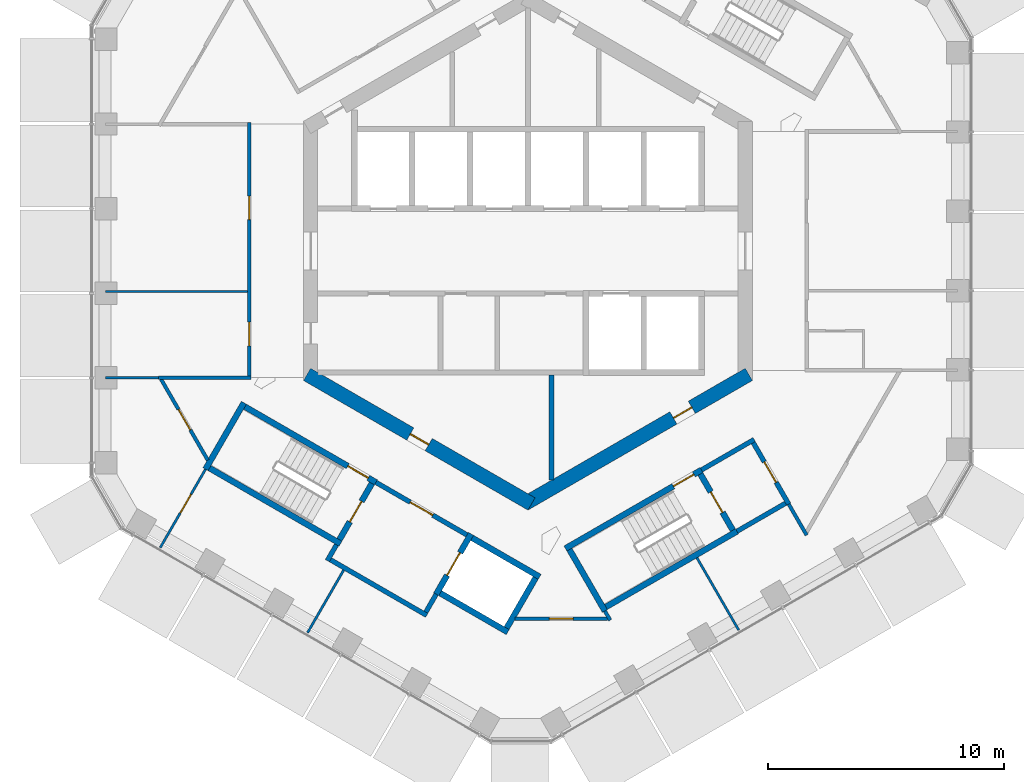
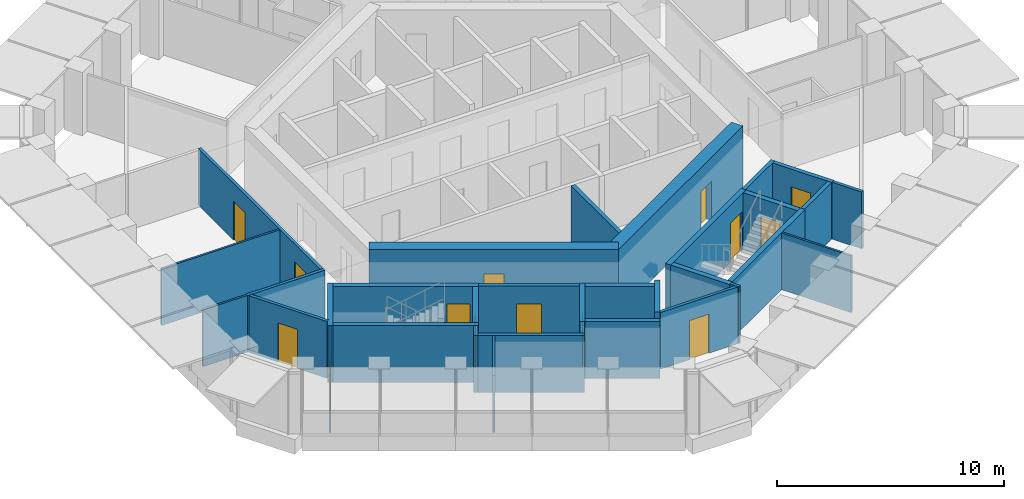
# One storey, part 13 of 18: 33 walls, 14 doors, 14 openings.
"""IFC4 building model written with IfcOpenShell, lengths in metres."""

import ifcopenshell
import ifcopenshell.guid

model = None  # the IFC model being written
_history = None  # IfcOwnerHistory: only IFC2X3 demands one
_inside = {}  # id of a spatial element -> (the spatial element, [elements in it])
_under = {}  # id of a project, library or spatial element -> (it, [spatial elements below it])
_declared = {}  # id of a project -> (the project, [libraries it declares])
_typed = {}  # id of a type object -> (the type object, [elements of that type])
_made_of = {}  # id of a material, layer set ... -> (it, [elements and type objects made of it])


def new_model(schema):
    """Start an empty IFC model of exactly this schema.

    Asked for "IFC4X3", IfcOpenShell would pick the latest addendum, in which some entities
    have other attributes; the version numbers below select the first issue.
    IFC2X3 requires an IfcOwnerHistory on every rooted entity: one is made here for all.
    """
    global model, _history
    if schema == "IFC4X3":
        model = ifcopenshell.file(schema_version=(4, 3, 0, 0))
    else:
        model = ifcopenshell.file(schema=schema)
    _inside.clear()
    _under.clear()
    _declared.clear()
    _typed.clear()
    _made_of.clear()
    _history = None
    if model.schema == "IFC2X3":
        org = make("IfcOrganization", Name="unknown")
        user = make(
            "IfcPersonAndOrganization",
            ThePerson=make("IfcPerson", FamilyName="unknown"),
            TheOrganization=org,
        )
        app = make(
            "IfcApplication",
            ApplicationDeveloper=org,
            Version="unknown",
            ApplicationFullName="unknown",
            ApplicationIdentifier="unknown",
        )
        _history = make(
            "IfcOwnerHistory",
            OwningUser=user,
            OwningApplication=app,
            ChangeAction="ADDED",
            CreationDate=0,
        )
    return model


def make(cls, **values):
    """One entity of the class cls with the attributes given. An attribute that is None is left unset."""
    return model.create_entity(
        cls, **{name: value for name, value in values.items() if value is not None}
    )


def rooted(cls, **values):
    """An entity with a GlobalId (a new one), such as an element, a storey or a relation."""
    return make(cls, GlobalId=ifcopenshell.guid.new(), OwnerHistory=_history, **values)


def si_unit(unit_type, name, prefix=None):
    """IfcSIUnit, for example si_unit("LENGTHUNIT", "METRE", prefix="MILLI")."""
    return make("IfcSIUnit", UnitType=unit_type, Prefix=prefix, Name=name)


def assignment(units):
    """IfcUnitAssignment: the units of a project."""
    return None if units is None else make("IfcUnitAssignment", Units=units)


def point(xyz):
    """IfcCartesianPoint."""
    return None if xyz is None else make("IfcCartesianPoint", Coordinates=xyz)


def direction(xyz):
    """IfcDirection."""
    return None if xyz is None else make("IfcDirection", DirectionRatios=xyz)


def frame(location, z_axis=None, x_axis=None):
    """IfcAxis2Placement3D, a coordinate frame: its origin and axes. An axis left out is left unset."""
    return make(
        "IfcAxis2Placement3D",
        Location=point(location),
        Axis=direction(z_axis),
        RefDirection=direction(x_axis),
    )


def frame_2d(location, x_axis=None):
    """IfcAxis2Placement2D, a coordinate frame in the plane: its origin and x axis."""
    return make(
        "IfcAxis2Placement2D", Location=point(location), RefDirection=direction(x_axis)
    )


def origin():
    """The frame at (0, 0, 0) with its axes left unset."""
    return frame((0.0, 0.0, 0.0))


def place(relative_to, where):
    """IfcLocalPlacement: puts the frame where relative to a parent placement (None: the world)."""
    return make(
        "IfcLocalPlacement", PlacementRelTo=relative_to, RelativePlacement=where
    )


def context(
    kind, dimensions, precision=None, world=None, true_north=None, identifier=None
):
    """IfcGeometricRepresentationContext, for example the 3D "Model" context."""
    return make(
        "IfcGeometricRepresentationContext",
        ContextIdentifier=identifier,
        ContextType=kind,
        CoordinateSpaceDimension=dimensions,
        Precision=precision,
        WorldCoordinateSystem=world,
        TrueNorth=true_north,
    )


def subcontext(parent, identifier, kind, view, scale=None):
    """IfcGeometricRepresentationSubContext, for example "Body" below "Model"."""
    return make(
        "IfcGeometricRepresentationSubContext",
        ContextIdentifier=identifier,
        ContextType=kind,
        ParentContext=parent,
        TargetScale=scale,
        TargetView=view,
    )


def project(units=None, contexts=None):
    """IfcProject with its units and contexts."""
    return rooted(
        "IfcProject",
        Name="project",
        RepresentationContexts=contexts,
        UnitsInContext=assignment(units),
    )


def spatial(cls, under=None, at=None, **own):
    """A site, building, storey or space (cls), placed at a placement, below another one or the project."""
    s = rooted(cls, ObjectPlacement=at, **own)
    if under is not None:
        _under.setdefault(under.id(), (under, []))[1].append(s)
    return s


def profile(cls, at=None, kind="AREA", **sizes):
    """A parametric profile (cls). Its sizes go by their IFC names, for example OverallWidth=200.0."""
    return make(cls, ProfileType=kind, Position=at, **sizes)


def rectangle(**sizes):
    """IfcRectangleProfileDef."""
    return profile("IfcRectangleProfileDef", **sizes)


def extrude(swept, where, along, depth):
    """IfcExtrudedAreaSolid: the profile swept, set in the frame where, extruded along a direction by depth."""
    return make(
        "IfcExtrudedAreaSolid",
        SweptArea=swept,
        Position=where,
        ExtrudedDirection=direction(along),
        Depth=depth,
    )


def shape(context_of_items, identifier, shape_type, items):
    """IfcShapeRepresentation: the items that make up one representation, for example the "Body"."""
    return make(
        "IfcShapeRepresentation",
        ContextOfItems=context_of_items,
        RepresentationIdentifier=identifier,
        RepresentationType=shape_type,
        Items=items,
    )


def material(Name=None, Category=None):
    """IfcMaterial."""
    return make("IfcMaterial", Name=Name, Category=Category)


def layer(
    of_material, thickness, ventilated=None, Name=None, Category=None, Priority=None
):
    """IfcMaterialLayer: one layer of a wall or slab, of a material (None: an air gap)."""
    return make(
        "IfcMaterialLayer",
        Material=of_material,
        LayerThickness=thickness,
        IsVentilated=ventilated,
        Name=Name,
        Category=Category,
        Priority=Priority,
    )


def layer_set(layers, Name=None):
    """IfcMaterialLayerSet."""
    return make("IfcMaterialLayerSet", MaterialLayers=layers, LayerSetName=Name)


def made_of(thing, what):
    """Note that an element or type object is made of a material, layer set ...; save() writes the relation."""
    if what is not None:
        _made_of.setdefault(what.id(), (what, []))[1].append(thing)
    return thing


def type_object(cls, material=None, **own):
    """A type object (cls), such as IfcWallType, which elements share."""
    return made_of(rooted(cls, **own), material)


def element(
    cls,
    number,
    at=None,
    inside=None,
    cuts=None,
    type_object=None,
    material=None,
    context=None,
    identifier="Body",
    shape_type=None,
    held_by="IfcProductDefinitionShape",
    body=None,
    shapes=None,
    **own,
):
    """One element of the class cls, such as IfcWall. Its Tag is "e" and its number.

    at: its placement. inside: the storey or other place that contains it. cuts: it is an
    opening in that element (IfcRelVoidsElement). A single representation is given by context,
    identifier, shape_type and body (its items); several are given by shapes. held_by: the class
    of the entity that holds the representations. save() writes the other relations.
    """
    e = rooted(cls, Tag="e%d" % number, ObjectPlacement=at, **own)
    if body is not None:
        shapes = [shape(context, identifier, shape_type, body)]
    if shapes is not None:
        e.Representation = make(held_by, Representations=shapes)
    if inside is not None:
        _inside.setdefault(inside.id(), (inside, []))[1].append(e)
    if cuts is not None:
        rooted(
            "IfcRelVoidsElement", RelatingBuildingElement=cuts, RelatedOpeningElement=e
        )
    if type_object is not None:
        _typed.setdefault(type_object.id(), (type_object, []))[1].append(e)
    return made_of(e, material)


def fill(opening, filler):
    """IfcRelFillsElement: the door or window that sits in an opening."""
    return rooted(
        "IfcRelFillsElement",
        RelatingOpeningElement=opening,
        RelatedBuildingElement=filler,
    )


def aggregate(whole, parts):
    """IfcRelAggregates: a whole, such as a stair, and the parts it consists of."""
    return rooted("IfcRelAggregates", RelatingObject=whole, RelatedObjects=parts)


def save(model, path):
    """Write the relations noted so far, then the file.

    IfcRelAggregates (storeys below a building ...), IfcRelContainedInSpatialStructure (elements
    in a storey), IfcRelDefinesByType, IfcRelAssociatesMaterial and IfcRelDeclares: one each for
    every whole, place, type object, material and project.
    """
    for whole, parts in _under.values():
        aggregate(whole, parts)
    for where, things in _inside.values():
        rooted(
            "IfcRelContainedInSpatialStructure",
            RelatedElements=things,
            RelatingStructure=where,
        )
    for kind, things in _typed.values():
        rooted("IfcRelDefinesByType", RelatedObjects=things, RelatingType=kind)
    for what, things in _made_of.values():
        rooted("IfcRelAssociatesMaterial", RelatedObjects=things, RelatingMaterial=what)
    for by, libraries in _declared.values():
        rooted("IfcRelDeclares", RelatingContext=by, RelatedDefinitions=libraries)
    model.write(path)


model = new_model("IFC4")

# Units and contexts
model_context = context("Model", 3, precision=1e-05, world=origin(), true_north=direction((0.0, 1.0)))
body_context = subcontext(model_context, "Body", "Model", "MODEL_VIEW")
ifc_project = project(units=[si_unit("LENGTHUNIT", "METRE"), si_unit("AREAUNIT", "SQUARE_METRE"), si_unit("VOLUMEUNIT", "CUBIC_METRE"), si_unit("PLANEANGLEUNIT", "RADIAN"), si_unit("MASSUNIT", "GRAM", prefix="KILO")], contexts=[model_context])

# Site, building, storey
site_placement = place(None, origin())
site = spatial("IfcSite", under=ifc_project, at=site_placement, CompositionType="ELEMENT")
building_placement = place(site_placement, origin())
building = spatial("IfcBuilding", under=site, at=building_placement, Name="Ayvan Gate Tower", CompositionType="ELEMENT")
storey_placement = place(building_placement, frame((0.0, 0.0, 169.699951171875)))
storey = spatial("IfcBuildingStorey", under=building, at=storey_placement, Name="L45", CompositionType="ELEMENT", Elevation=169.699951171875)

# Wall, opening, door
ifc_material_1 = material(Name="Concrete C60/75", Category="concrete")
ifc_layer_1 = layer(ifc_material_1, 0.60009765625)
ifc_layer_set_1 = layer_set([ifc_layer_1], Name="Concrete C60/75")
wall_type_1 = type_object("IfcWallType", Name="Core wall 600 C60/75", PredefinedType="SHEAR", material=ifc_layer_set_1)
wall_1_placement = place(storey_placement, frame((-9.35009765625, -5.22509765625, 0.0), z_axis=(0.0, 0.0, 1.0), x_axis=(0.866023993627, -0.500002442456, 0.0)))
wall_1 = element("IfcWall", 1, at=wall_1_placement, inside=storey, type_object=wall_type_1, Name="CORE-L45-4", PredefinedType="SHEAR", context=body_context, shape_type="SweptSolid", body=[
    extrude(rectangle(XDim=10.9697265625, YDim=0.60009765625, at=frame_2d((5.48486328125, 0.0))), origin(), (0.0, 0.0, 1.0), 3.400146484375),
])
opening_1_placement = place(wall_1_placement, frame((5.04541015625, 0.0, 0.0)))
opening_1 = element("IfcOpeningElement", 2, at=opening_1_placement, cuts=wall_1, Name="Opening L45-D41", PredefinedType="OPENING", context=body_context, shape_type="SweptSolid", body=[
    extrude(rectangle(XDim=0.89990234375, YDim=2.10009765625, at=frame_2d((0.449951171875, 1.050048828125))), frame((0.0, 0.31005859375, 0.0), z_axis=(0.0, -1.0, 0.0), x_axis=(1.0, 0.0, 0.0)), (0.0, 0.0, 1.0), 0.6201171875),
])
ifc_material_2 = material(Name="Timber door leaf", Category="wood")
door_type_1 = type_object("IfcDoorType", Name="DT-900", OperationType="NOTDEFINED", PredefinedType="DOOR", material=ifc_material_2)
door_1_placement = place(opening_1_placement, origin())
door_1 = element("IfcDoor", 3, at=door_1_placement, inside=storey, type_object=door_type_1, Name="CD-L45-41", OperationType="SINGLE_SWING_RIGHT", OverallHeight=2.10009765625, OverallWidth=0.89990234375, PredefinedType="DOOR", context=body_context, shape_type="SweptSolid", body=[
    extrude(rectangle(XDim=0.89990234375, YDim=2.10009765625, at=frame_2d((0.449951171875, 1.050048828125))), frame((0.0, 0.02490234375, 0.0), z_axis=(0.0, -1.0, 0.0), x_axis=(1.0, 0.0, 0.0)), (0.0, 0.0, 1.0), 0.050048828125),
])
fill(opening_1, door_1)

wall_2_placement = place(storey_placement, frame((-0.14990234375, -10.7099609375, 0.0), z_axis=(0.0, 0.0, 1.0), x_axis=(0.866023993627, 0.500002442456, 0.0)))
wall_2 = element("IfcWall", 4, at=wall_2_placement, inside=storey, type_object=wall_type_1, Name="CORE-L45-5", PredefinedType="SHEAR", context=body_context, shape_type="SweptSolid", body=[
    extrude(rectangle(XDim=10.9697265625, YDim=0.60009765625, at=frame_2d((5.48486328125, 0.0))), origin(), (0.0, 0.0, 1.0), 3.400146484375),
])
opening_2_placement = place(wall_2_placement, frame((7.28125, 0.0, 0.0)))
opening_2 = element("IfcOpeningElement", 5, at=opening_2_placement, cuts=wall_2, Name="Opening L45-D42", PredefinedType="OPENING", context=body_context, shape_type="SweptSolid", body=[
    extrude(rectangle(XDim=0.89990234375, YDim=2.10009765625, at=frame_2d((0.449951171875, 1.050048828125))), frame((0.0, 0.31005859375, 0.0), z_axis=(0.0, -1.0, 0.0), x_axis=(1.0, 0.0, 0.0)), (0.0, 0.0, 1.0), 0.6201171875),
])
door_2_placement = place(opening_2_placement, origin())
door_2 = element("IfcDoor", 6, at=door_2_placement, inside=storey, type_object=door_type_1, Name="CD-L45-42", OperationType="SINGLE_SWING_LEFT", OverallHeight=2.10009765625, OverallWidth=0.89990234375, PredefinedType="DOOR", context=body_context, shape_type="SweptSolid", body=[
    extrude(rectangle(XDim=0.89990234375, YDim=2.10009765625, at=frame_2d((0.449951171875, 1.050048828125))), frame((0.0, 0.02490234375, 0.0), z_axis=(0.0, -1.0, 0.0), x_axis=(1.0, 0.0, 0.0)), (0.0, 0.0, 1.0), 0.050048828125),
])
fill(opening_2, door_2)

# Wall
ifc_material_3 = material(Name="Plasterboard on steel stud", Category="steel")
ifc_layer_2 = layer(ifc_material_3, 0.14990234375)
ifc_layer_set_2 = layer_set([ifc_layer_2], Name="Plasterboard on steel stud")
wall_type_2 = type_object("IfcWallType", Name="WT-CORR-150", PredefinedType="PARTITIONING", material=ifc_layer_set_2)
wall_3_placement = place(storey_placement, frame((-15.6435546875, -5.363525390625, 0.0), z_axis=(0.0, 0.0, 1.0), x_axis=(1.0, 0.0, 0.0)))
element("IfcWall", 7, at=wall_3_placement, inside=storey, type_object=wall_type_2, Name="IW-L45-003", PredefinedType="PARTITIONING", context=body_context, shape_type="SweptSolid", body=[
    extrude(rectangle(XDim=3.918701171875, YDim=0.14990234375, at=frame_2d((1.95947265625, 0.0))), origin(), (0.0, 0.0, 1.0), 3.050048828125),
])

# Wall, opening, door
wall_4_placement = place(storey_placement, frame((-13.552001953125, -8.856201171875, 0.0), z_axis=(0.0, 0.0, 1.0), x_axis=(-0.500000102728, 0.866025344474, 0.0)))
wall_4 = element("IfcWall", 8, at=wall_4_placement, inside=storey, type_object=wall_type_2, Name="IW-L45-006", PredefinedType="PARTITIONING", context=body_context, shape_type="SweptSolid", body=[
    extrude(rectangle(XDim=3.9580078125, YDim=0.14990234375, at=frame_2d((1.97900390625, 0.0))), origin(), (0.0, 0.0, 1.0), 3.050048828125),
])
opening_3_placement = place(wall_4_placement, frame((1.47900390625, 0.0, 0.0)))
opening_3 = element("IfcOpeningElement", 9, at=opening_3_placement, cuts=wall_4, Name="Opening L45-D30", PredefinedType="OPENING", context=body_context, shape_type="SweptSolid", body=[
    extrude(rectangle(XDim=1.0, YDim=2.10009765625, at=frame_2d((0.5, 1.050048828125))), frame((0.0, 0.0849609375, 0.0), z_axis=(0.0, -1.0, 0.0), x_axis=(1.0, 0.0, 0.0)), (0.0, 0.0, 1.0), 0.169921875),
])
door_type_2 = type_object("IfcDoorType", Name="DT-1000", OperationType="NOTDEFINED", PredefinedType="DOOR", material=ifc_material_2)
door_3_placement = place(opening_3_placement, origin())
door_3 = element("IfcDoor", 10, at=door_3_placement, inside=storey, type_object=door_type_2, Name="ID-L45-030", OperationType="SINGLE_SWING_LEFT", OverallHeight=2.10009765625, OverallWidth=1.0, PredefinedType="DOOR", context=body_context, shape_type="SweptSolid", body=[
    extrude(rectangle(XDim=1.0, YDim=2.10009765625, at=frame_2d((0.5, 1.050048828125))), frame((0.0, 0.02490234375, 0.0), z_axis=(0.0, -1.0, 0.0), x_axis=(1.0, 0.0, 0.0)), (0.0, 0.0, 1.0), 0.050048828125),
])
fill(opening_3, door_3)

# Wall, openings, doors
wall_5_placement = place(storey_placement, frame((-11.800048828125, -5.28857421875, 0.0), z_axis=(0.0, 0.0, 1.0), x_axis=(0.0, 1.0, 0.0)))
wall_5 = element("IfcWall", 11, at=wall_5_placement, inside=storey, type_object=wall_type_2, Name="IW-L45-010", PredefinedType="PARTITIONING", context=body_context, shape_type="SweptSolid", body=[
    extrude(rectangle(XDim=10.727294921875, YDim=0.14990234375, at=frame_2d((5.36376953125, 0.0))), origin(), (0.0, 0.0, 1.0), 3.050048828125),
])
opening_4_placement = place(wall_5_placement, frame((6.6123046875, 0.0, 0.0)))
opening_4 = element("IfcOpeningElement", 12, at=opening_4_placement, cuts=wall_5, Name="Opening L45-D28", PredefinedType="OPENING", context=body_context, shape_type="SweptSolid", body=[
    extrude(rectangle(XDim=1.0, YDim=2.10009765625, at=frame_2d((0.5, 1.050048828125))), frame((0.0, 0.0849609375, 0.0), z_axis=(0.0, -1.0, 0.0), x_axis=(1.0, 0.0, 0.0)), (0.0, 0.0, 1.0), 0.169921875),
])
opening_5_placement = place(wall_5_placement, frame((1.27099609375, 0.0, 0.0)))
opening_5 = element("IfcOpeningElement", 13, at=opening_5_placement, cuts=wall_5, Name="Opening L45-D29", PredefinedType="OPENING", context=body_context, shape_type="SweptSolid", body=[
    extrude(rectangle(XDim=1.0, YDim=2.10009765625, at=frame_2d((0.5, 1.050048828125))), frame((0.0, 0.0849609375, 0.0), z_axis=(0.0, -1.0, 0.0), x_axis=(1.0, 0.0, 0.0)), (0.0, 0.0, 1.0), 0.169921875),
])
door_4_placement = place(opening_4_placement, origin())
door_4 = element("IfcDoor", 14, at=door_4_placement, inside=storey, type_object=door_type_2, Name="ID-L45-028", OperationType="SINGLE_SWING_LEFT", OverallHeight=2.10009765625, OverallWidth=1.0, PredefinedType="DOOR", context=body_context, shape_type="SweptSolid", body=[
    extrude(rectangle(XDim=1.0, YDim=2.10009765625, at=frame_2d((0.5, 1.050048828125))), frame((0.0, 0.02490234375, 0.0), z_axis=(0.0, -1.0, 0.0), x_axis=(1.0, 0.0, 0.0)), (0.0, 0.0, 1.0), 0.050048828125),
])
fill(opening_4, door_4)
door_5_placement = place(opening_5_placement, origin())
door_5 = element("IfcDoor", 15, at=door_5_placement, inside=storey, type_object=door_type_2, Name="ID-L45-029", OperationType="SINGLE_SWING_RIGHT", OverallHeight=2.10009765625, OverallWidth=1.0, PredefinedType="DOOR", context=body_context, shape_type="SweptSolid", body=[
    extrude(rectangle(XDim=1.0, YDim=2.10009765625, at=frame_2d((0.5, 1.050048828125))), frame((0.0, 0.02490234375, 0.0), z_axis=(0.0, -1.0, 0.0), x_axis=(1.0, 0.0, 0.0)), (0.0, 0.0, 1.0), 0.050048828125),
])
fill(opening_5, door_5)

# Wall
wall_6_placement = place(storey_placement, frame((3.255615234375, -15.23876953125, 0.0), z_axis=(0.0, 0.0, 1.0), x_axis=(0.500097243556, -0.865969252911, 0.0)))
element("IfcWall", 16, at=wall_6_placement, inside=storey, type_object=wall_type_2, Name="IW-L45-055", PredefinedType="PARTITIONING", context=body_context, shape_type="SweptSolid", body=[
    extrude(rectangle(XDim=0.451171875, YDim=0.14990234375, at=frame_2d((0.2255859375, 0.0))), origin(), (0.0, 0.0, 1.0), 3.050048828125),
])

# Wall, opening, door
wall_7_placement = place(storey_placement, frame((3.36865234375, -15.564697265625, 0.0), z_axis=(0.0, 0.0, 1.0), x_axis=(-1.0, 0.0, 0.0)))
wall_7 = element("IfcWall", 17, at=wall_7_placement, inside=storey, type_object=wall_type_2, Name="IW-L45-057", PredefinedType="PARTITIONING", context=body_context, shape_type="SweptSolid", body=[
    extrude(rectangle(XDim=3.916015625, YDim=0.14990234375, at=frame_2d((1.9580078125, 0.0))), origin(), (0.0, 0.0, 1.0), 3.050048828125),
])
opening_6_placement = place(wall_7_placement, frame((1.4580078125, 0.0, 0.0)))
opening_6 = element("IfcOpeningElement", 18, at=opening_6_placement, cuts=wall_7, Name="Opening L45-D32", PredefinedType="OPENING", context=body_context, shape_type="SweptSolid", body=[
    extrude(rectangle(XDim=1.0, YDim=2.10009765625, at=frame_2d((0.5, 1.050048828125))), frame((0.0, 0.0849609375, 0.0), z_axis=(0.0, -1.0, 0.0), x_axis=(1.0, 0.0, 0.0)), (0.0, 0.0, 1.0), 0.169921875),
])
door_6_placement = place(opening_6_placement, origin())
door_6 = element("IfcDoor", 19, at=door_6_placement, inside=storey, type_object=door_type_2, Name="ID-L45-032", OperationType="SINGLE_SWING_LEFT", OverallHeight=2.10009765625, OverallWidth=1.0, PredefinedType="DOOR", context=body_context, shape_type="SweptSolid", body=[
    extrude(rectangle(XDim=1.0, YDim=2.10009765625, at=frame_2d((0.5, 1.050048828125))), frame((0.0, 0.02490234375, 0.0), z_axis=(0.0, -1.0, 0.0), x_axis=(1.0, 0.0, 0.0)), (0.0, 0.0, 1.0), 0.050048828125),
])
fill(opening_6, door_6)

# Walls
wall_8_placement = place(storey_placement, frame((11.794921875, -12.029541015625, 0.0), z_axis=(0.0, 0.0, 1.0), x_axis=(-0.499899100862, 0.866083650092, 0.0)))
element("IfcWall", 20, at=wall_8_placement, inside=storey, type_object=wall_type_2, Name="IW-L45-079", PredefinedType="PARTITIONING", context=body_context, shape_type="SweptSolid", body=[
    extrude(rectangle(XDim=1.515380859375, YDim=0.14990234375, at=frame_2d((0.7578125, 0.0))), origin(), (0.0, 0.0, 1.0), 3.050048828125),
])
ifc_layer_3 = layer(ifc_material_3, 0.10009765625)
ifc_layer_set_3 = layer_set([ifc_layer_3], Name="Plasterboard on steel stud")
wall_type_3 = type_object("IfcWallType", Name="WT-PART-100", PredefinedType="PARTITIONING", material=ifc_layer_set_3)
wall_9_placement = place(storey_placement, frame((-15.6435546875, -5.363525390625, 0.0), z_axis=(0.0, 0.0, 1.0), x_axis=(-1.0, 0.0, 0.0)))
element("IfcWall", 21, at=wall_9_placement, inside=storey, type_object=wall_type_3, Name="IW-L45-002", PredefinedType="PARTITIONING", context=body_context, shape_type="SweptSolid", body=[
    extrude(rectangle(XDim=2.246337890625, YDim=0.10009765625, at=frame_2d((1.123046875, 0.0))), origin(), (0.0, 0.0, 1.0), 3.050048828125),
])

# Wall, opening, door
wall_10_placement = place(storey_placement, frame((-13.647705078125, -9.23876953125, 0.0), z_axis=(0.0, 0.0, 1.0), x_axis=(-0.500044099915, -0.86599994119, 0.0)))
wall_10 = element("IfcWall", 22, at=wall_10_placement, inside=storey, type_object=wall_type_3, Name="IW-L45-005", PredefinedType="PARTITIONING", context=body_context, shape_type="SweptSolid", body=[
    extrude(rectangle(XDim=3.832763671875, YDim=0.10009765625, at=frame_2d((1.91650390625, 0.0))), origin(), (0.0, 0.0, 1.0), 3.050048828125),
])
opening_7_placement = place(wall_10_placement, frame((1.230712890625, 0.0, 0.0)))
opening_7 = element("IfcOpeningElement", 23, at=opening_7_placement, cuts=wall_10, Name="Opening L45-D31", PredefinedType="OPENING", context=body_context, shape_type="SweptSolid", body=[
    extrude(rectangle(XDim=0.89990234375, YDim=2.10009765625, at=frame_2d((0.449951171875, 1.050048828125))), frame((0.0, 0.06005859375, 0.0), z_axis=(0.0, -1.0, 0.0), x_axis=(1.0, 0.0, 0.0)), (0.0, 0.0, 1.0), 0.1201171875),
])
door_7_placement = place(opening_7_placement, origin())
door_7 = element("IfcDoor", 24, at=door_7_placement, inside=storey, type_object=door_type_1, Name="ID-L45-031", OperationType="SINGLE_SWING_RIGHT", OverallHeight=2.10009765625, OverallWidth=0.89990234375, PredefinedType="DOOR", context=body_context, shape_type="SweptSolid", body=[
    extrude(rectangle(XDim=0.89990234375, YDim=2.10009765625, at=frame_2d((0.449951171875, 1.050048828125))), frame((0.0, 0.02490234375, 0.0), z_axis=(0.0, -1.0, 0.0), x_axis=(1.0, 0.0, 0.0)), (0.0, 0.0, 1.0), 0.050048828125),
])
fill(opening_7, door_7)

# Walls
wall_11_placement = place(storey_placement, frame((-11.875, -1.71630859375, 0.0), z_axis=(0.0, 0.0, 1.0), x_axis=(-1.0, 0.0, 0.0)))
element("IfcWall", 25, at=wall_11_placement, inside=storey, type_object=wall_type_3, Name="IW-L45-011", PredefinedType="PARTITIONING", context=body_context, shape_type="SweptSolid", body=[
    extrude(rectangle(XDim=6.014892578125, YDim=0.10009765625, at=frame_2d((3.00732421875, 0.0))), origin(), (0.0, 0.0, 1.0), 3.050048828125),
])
wall_12_placement = place(storey_placement, frame((-7.800048828125, -13.510009765625, 0.0), z_axis=(0.0, 0.0, 1.0), x_axis=(-0.500003532061, -0.866023364538, 0.0)))
element("IfcWall", 26, at=wall_12_placement, inside=storey, type_object=wall_type_3, Name="IW-L45-018", PredefinedType="PARTITIONING", context=body_context, shape_type="SweptSolid", body=[
    extrude(rectangle(XDim=3.0576171875, YDim=0.10009765625, at=frame_2d((1.52880859375, 0.0))), origin(), (0.0, 0.0, 1.0), 3.050048828125),
])
wall_13_placement = place(storey_placement, frame((7.152587890625, -12.98876953125, 0.0), z_axis=(0.0, 0.0, 1.0), x_axis=(0.500045204515, -0.865999303373, 0.0)))
element("IfcWall", 27, at=wall_13_placement, inside=storey, type_object=wall_type_3, Name="IW-L45-066", PredefinedType="PARTITIONING", context=body_context, shape_type="SweptSolid", body=[
    extrude(rectangle(XDim=3.535888671875, YDim=0.10009765625, at=frame_2d((1.76806640625, 0.0))), origin(), (0.0, 0.0, 1.0), 3.050048828125),
])
ifc_layer_4 = layer(ifc_material_3, 0.199951171875)
ifc_layer_set_4 = layer_set([ifc_layer_4], Name="Plasterboard on steel stud")
wall_type_4 = type_object("IfcWallType", Name="WT-RATED-200", PredefinedType="PARTITIONING", material=ifc_layer_set_4)
wall_14_placement = place(storey_placement, frame((-8.492919921875, -13.110107421875, 0.0), z_axis=(0.0, 0.0, 1.0), x_axis=(0.500067724834, 0.865986299303, 0.0)))
element("IfcWall", 28, at=wall_14_placement, inside=storey, type_object=wall_type_4, Name="IW-L45-016", PredefinedType="PARTITIONING", context=body_context, shape_type="SweptSolid", body=[
    extrude(rectangle(XDim=0.775390625, YDim=0.199951171875, at=frame_2d((0.3876953125, 0.0))), origin(), (0.0, 0.0, 1.0), 3.050048828125),
])
wall_15_placement = place(storey_placement, frame((-8.356201171875, -13.073486328125, 0.0), z_axis=(0.0, 0.0, 1.0), x_axis=(0.866038532462, -0.499977259774, 0.0)))
element("IfcWall", 29, at=wall_15_placement, inside=storey, type_object=wall_type_4, Name="IW-L45-019", PredefinedType="PARTITIONING", context=body_context, shape_type="SweptSolid", body=[
    extrude(rectangle(XDim=4.699951171875, YDim=0.199951171875, at=frame_2d((2.35009765625, 0.0))), origin(), (0.0, 0.0, 1.0), 3.050048828125),
])

# Wall, opening, door
wall_16_placement = place(storey_placement, frame((-6.4345703125, -9.794921875, 0.0), z_axis=(0.0, 0.0, 1.0), x_axis=(0.866012907634, -0.500021643343, 0.0)))
wall_16 = element("IfcWall", 30, at=wall_16_placement, inside=storey, type_object=wall_type_4, Name="IW-L45-024", PredefinedType="PARTITIONING", context=body_context, shape_type="SweptSolid", body=[
    extrude(rectangle(XDim=4.449951171875, YDim=0.199951171875, at=frame_2d((2.22509765625, 0.0))), origin(), (0.0, 0.0, 1.0), 3.050048828125),
])
opening_8_placement = place(wall_16_placement, frame((1.675048828125, 0.0, 0.0)))
opening_8 = element("IfcOpeningElement", 31, at=opening_8_placement, cuts=wall_16, Name="Opening L45-D17", PredefinedType="OPENING", context=body_context, shape_type="SweptSolid", body=[
    extrude(rectangle(XDim=1.10009765625, YDim=2.10009765625, at=frame_2d((0.550048828125, 1.050048828125))), frame((0.0, 0.10986328125, 0.0), z_axis=(0.0, -1.0, 0.0), x_axis=(1.0, 0.0, 0.0)), (0.0, 0.0, 1.0), 0.219970703125),
])
door_type_3 = type_object("IfcDoorType", Name="DT-1100", OperationType="NOTDEFINED", PredefinedType="DOOR", material=ifc_material_2)
door_8_placement = place(opening_8_placement, origin())
door_8 = element("IfcDoor", 32, at=door_8_placement, inside=storey, type_object=door_type_3, Name="ID-L45-017", OperationType="SINGLE_SWING_RIGHT", OverallHeight=2.10009765625, OverallWidth=1.10009765625, PredefinedType="DOOR", context=body_context, shape_type="SweptSolid", body=[
    extrude(rectangle(XDim=1.10009765625, YDim=2.10009765625, at=frame_2d((0.550048828125, 1.050048828125))), frame((0.0, 0.02490234375, 0.0), z_axis=(0.0, -1.0, 0.0), x_axis=(1.0, 0.0, 0.0)), (0.0, 0.0, 1.0), 0.050048828125),
])
fill(opening_8, door_8)

# Walls
wall_17_placement = place(storey_placement, frame((-3.885009765625, -14.52880859375, 0.0), z_axis=(0.0, 0.0, 1.0), x_axis=(-0.499859285417, -0.866106630146, 0.0)))
element("IfcWall", 33, at=wall_17_placement, inside=storey, type_object=wall_type_4, Name="IW-L45-027", PredefinedType="PARTITIONING", context=body_context, shape_type="SweptSolid", body=[
    extrude(rectangle(XDim=0.875244140625, YDim=0.199951171875, at=frame_2d((0.4375, 0.0))), origin(), (0.0, 0.0, 1.0), 3.050048828125),
])
wall_18_placement = place(storey_placement, frame((1.0, -5.25, 0.0), z_axis=(0.0, 0.0, 1.0), x_axis=(0.0, -1.0, 0.0)))
element("IfcWall", 34, at=wall_18_placement, inside=storey, type_object=wall_type_4, Name="IW-L45-047", PredefinedType="PARTITIONING", context=body_context, shape_type="SweptSolid", body=[
    extrude(rectangle(XDim=4.449462890625, YDim=0.199951171875, at=frame_2d((2.224609375, 0.0))), origin(), (0.0, 0.0, 1.0), 3.050048828125),
])
wall_19_placement = place(storey_placement, frame((7.343994140625, -9.27001953125, 0.0), z_axis=(0.0, 0.0, 1.0), x_axis=(0.866005588531, 0.500034319456, 0.0)))
element("IfcWall", 35, at=wall_19_placement, inside=storey, type_object=wall_type_4, Name="IW-L45-069", PredefinedType="PARTITIONING", context=body_context, shape_type="SweptSolid", body=[
    extrude(rectangle(XDim=2.574951171875, YDim=0.199951171875, at=frame_2d((1.28759765625, 0.0))), origin(), (0.0, 0.0, 1.0), 3.050048828125),
])

# Wall, opening, door
wall_20_placement = place(storey_placement, frame((9.537353515625, -8.119140625, 0.0), z_axis=(0.0, 0.0, 1.0), x_axis=(0.499990139034, -0.866031096941, 0.0)))
wall_20 = element("IfcWall", 36, at=wall_20_placement, inside=storey, type_object=wall_type_4, Name="IW-L45-077", PredefinedType="PARTITIONING", context=body_context, shape_type="SweptSolid", body=[
    extrude(rectangle(XDim=3.0, YDim=0.199951171875, at=frame_2d((1.5, 0.0))), origin(), (0.0, 0.0, 1.0), 3.050048828125),
])
opening_9_placement = place(wall_20_placement, frame((0.93505859375, 0.0, 0.0)))
opening_9 = element("IfcOpeningElement", 37, at=opening_9_placement, cuts=wall_20, Name="Opening L45-D20", PredefinedType="OPENING", context=body_context, shape_type="SweptSolid", body=[
    extrude(rectangle(XDim=1.0, YDim=2.10009765625, at=frame_2d((0.5, 1.050048828125))), frame((0.0, 0.10986328125, 0.0), z_axis=(0.0, -1.0, 0.0), x_axis=(1.0, 0.0, 0.0)), (0.0, 0.0, 1.0), 0.219970703125),
])
door_9_placement = place(opening_9_placement, origin())
door_9 = element("IfcDoor", 38, at=door_9_placement, inside=storey, type_object=door_type_2, Name="ID-L45-020", OperationType="SINGLE_SWING_LEFT", OverallHeight=2.10009765625, OverallWidth=1.0, PredefinedType="DOOR", context=body_context, shape_type="SweptSolid", body=[
    extrude(rectangle(XDim=1.0, YDim=2.10009765625, at=frame_2d((0.5, 1.050048828125))), frame((0.0, 0.02490234375, 0.0), z_axis=(0.0, -1.0, 0.0), x_axis=(1.0, 0.0, 0.0)), (0.0, 0.0, 1.0), 0.050048828125),
])
fill(opening_9, door_9)

# Walls
wall_21_placement = place(storey_placement, frame((10.900634765625, -10.6806640625, 0.0), z_axis=(0.0, 0.0, 1.0), x_axis=(-0.866007538022, -0.500030943131, 0.0)))
element("IfcWall", 39, at=wall_21_placement, inside=storey, type_object=wall_type_4, Name="IW-L45-078", PredefinedType="PARTITIONING", context=body_context, shape_type="SweptSolid", body=[
    extrude(rectangle(XDim=2.374755859375, YDim=0.199951171875, at=frame_2d((1.1875, 0.0))), origin(), (0.0, 0.0, 1.0), 3.050048828125),
])
ifc_material_4 = material(Name="Concrete C50/60", Category="concrete")
ifc_layer_5 = layer(ifc_material_4, 0.25)
ifc_layer_set_5 = layer_set([ifc_layer_5], Name="Concrete C50/60")
wall_type_5 = type_object("IfcWallType", Name="WT-RC-250", PredefinedType="SHEAR", material=ifc_layer_set_5)
wall_22_placement = place(storey_placement, frame((-13.64794921875, -9.23876953125, 0.0), z_axis=(0.0, 0.0, 1.0), x_axis=(0.500017246033, 0.866015446554, 0.0)))
element("IfcWall", 40, at=wall_22_placement, inside=storey, type_object=wall_type_5, Name="IW-L45-004", PredefinedType="SHEAR", context=body_context, shape_type="SweptSolid", body=[
    extrude(rectangle(XDim=3.25, YDim=0.25, at=frame_2d((1.625, 0.0))), origin(), (0.0, 0.0, 1.0), 3.050048828125),
])

# Wall, opening, door
wall_23_placement = place(storey_placement, frame((-11.97705078125, -6.594970703125, 0.0), z_axis=(0.0, 0.0, 1.0), x_axis=(0.866025499775, -0.499999833739, 0.0)))
wall_23 = element("IfcWall", 41, at=wall_23_placement, inside=storey, type_object=wall_type_5, Name="IW-L45-009", PredefinedType="SHEAR", context=body_context, shape_type="SweptSolid", body=[
    extrude(rectangle(XDim=6.39990234375, YDim=0.25, at=frame_2d((3.199951171875, 0.0))), origin(), (0.0, 0.0, 1.0), 3.050048828125),
])
opening_10_placement = place(wall_23_placement, frame((5.02490234375, 0.0, 0.0)))
opening_10 = element("IfcOpeningElement", 42, at=opening_10_placement, cuts=wall_23, Name="Opening L45-D15", PredefinedType="OPENING", context=body_context, shape_type="SweptSolid", body=[
    extrude(rectangle(XDim=1.0, YDim=2.10009765625, at=frame_2d((0.5, 1.050048828125))), frame((0.0, 0.135009765625, 0.0), z_axis=(0.0, -1.0, 0.0), x_axis=(1.0, 0.0, 0.0)), (0.0, 0.0, 1.0), 0.27001953125),
])
door_10_placement = place(opening_10_placement, origin())
door_10 = element("IfcDoor", 43, at=door_10_placement, inside=storey, type_object=door_type_2, Name="ID-L45-015", OperationType="SINGLE_SWING_RIGHT", OverallHeight=2.10009765625, OverallWidth=1.0, PredefinedType="DOOR", context=body_context, shape_type="SweptSolid", body=[
    extrude(rectangle(XDim=1.0, YDim=2.10009765625, at=frame_2d((0.5, 1.050048828125))), frame((0.0, 0.02490234375, 0.0), z_axis=(0.0, -1.0, 0.0), x_axis=(1.0, 0.0, 0.0)), (0.0, 0.0, 1.0), 0.050048828125),
])
fill(opening_10, door_10)

# Wall
wall_24_placement = place(storey_placement, frame((-7.9345703125, -12.39306640625, 0.0), z_axis=(0.0, 0.0, 1.0), x_axis=(-0.866025499775, 0.499999833739, 0.0)))
element("IfcWall", 44, at=wall_24_placement, inside=storey, type_object=wall_type_5, Name="IW-L45-017", PredefinedType="SHEAR", context=body_context, shape_type="SweptSolid", body=[
    extrude(rectangle(XDim=6.39990234375, YDim=0.25, at=frame_2d((3.199951171875, 0.0))), origin(), (0.0, 0.0, 1.0), 3.050048828125),
])

# Wall, opening, door
wall_25_placement = place(storey_placement, frame((-6.605224609375, -9.8408203125, 0.0), z_axis=(0.0, 0.0, 1.0), x_axis=(-0.499996545922, -0.866027397988, 0.0)))
wall_25 = element("IfcWall", 45, at=wall_25_placement, inside=storey, type_object=wall_type_5, Name="IW-L45-023", PredefinedType="SHEAR", context=body_context, shape_type="SweptSolid", body=[
    extrude(rectangle(XDim=2.75, YDim=0.25, at=frame_2d((1.375, 0.0))), origin(), (0.0, 0.0, 1.0), 3.050048828125),
])
opening_11_placement = place(wall_25_placement, frame((0.875, 0.0, 0.0)))
opening_11 = element("IfcOpeningElement", 46, at=opening_11_placement, cuts=wall_25, Name="Opening L45-D16", PredefinedType="OPENING", context=body_context, shape_type="SweptSolid", body=[
    extrude(rectangle(XDim=1.0, YDim=2.10009765625, at=frame_2d((0.5, 1.050048828125))), frame((0.0, 0.135009765625, 0.0), z_axis=(0.0, -1.0, 0.0), x_axis=(1.0, 0.0, 0.0)), (0.0, 0.0, 1.0), 0.27001953125),
])
door_11_placement = place(opening_11_placement, origin())
door_11 = element("IfcDoor", 47, at=door_11_placement, inside=storey, type_object=door_type_2, Name="ID-L45-016", OperationType="SINGLE_SWING_LEFT", OverallHeight=2.10009765625, OverallWidth=1.0, PredefinedType="DOOR", context=body_context, shape_type="SweptSolid", body=[
    extrude(rectangle(XDim=1.0, YDim=2.10009765625, at=frame_2d((0.5, 1.050048828125))), frame((0.0, 0.02490234375, 0.0), z_axis=(0.0, -1.0, 0.0), x_axis=(1.0, 0.0, 0.0)), (0.0, 0.0, 1.0), 0.050048828125),
])
fill(opening_11, door_11)

wall_26_placement = place(storey_placement, frame((-2.409912109375, -11.97412109375, 0.0), z_axis=(0.0, 0.0, 1.0), x_axis=(-0.500001826776, -0.866024349092, 0.0)))
wall_26 = element("IfcWall", 48, at=wall_26_placement, inside=storey, type_object=wall_type_5, Name="IW-L45-034", PredefinedType="SHEAR", context=body_context, shape_type="SweptSolid", body=[
    extrude(rectangle(XDim=2.9501953125, YDim=0.25, at=frame_2d((1.47509765625, 0.0))), origin(), (0.0, 0.0, 1.0), 3.050048828125),
])
opening_12_placement = place(wall_26_placement, frame((0.925048828125, 0.0, 0.0)))
opening_12 = element("IfcOpeningElement", 49, at=opening_12_placement, cuts=wall_26, Name="Opening L45-LD-FF2", PredefinedType="OPENING", context=body_context, shape_type="SweptSolid", body=[
    extrude(rectangle(XDim=1.10009765625, YDim=2.10009765625, at=frame_2d((0.550048828125, 1.050048828125))), frame((0.0, 0.135009765625, 0.0), z_axis=(0.0, -1.0, 0.0), x_axis=(1.0, 0.0, 0.0)), (0.0, 0.0, 1.0), 0.27001953125),
])
ifc_material_5 = material(Name="Stainless steel landing door", Category="steel")
door_type_4 = type_object("IfcDoorType", Name="DT-LANDING-1100", OperationType="SLIDING_TO_LEFT", PredefinedType="DOOR", material=ifc_material_5)
door_12_placement = place(opening_12_placement, origin())
door_12 = element("IfcDoor", 50, at=door_12_placement, inside=storey, type_object=door_type_4, Name="ID-L45-018", OperationType="SLIDING_TO_LEFT", OverallHeight=2.10009765625, OverallWidth=1.10009765625, PredefinedType="DOOR", context=body_context, shape_type="SweptSolid", body=[
    extrude(rectangle(XDim=1.10009765625, YDim=2.10009765625, at=frame_2d((0.550048828125, 1.050048828125))), frame((0.0, 0.02490234375, 0.0), z_axis=(0.0, -1.0, 0.0), x_axis=(1.0, 0.0, 0.0)), (0.0, 0.0, 1.0), 0.050048828125),
])
fill(opening_12, door_12)

# Walls
wall_27_placement = place(storey_placement, frame((-2.3642578125, -12.14501953125, 0.0), z_axis=(0.0, 0.0, 1.0), x_axis=(0.866040211805, -0.499974350878, 0.0)))
element("IfcWall", 51, at=wall_27_placement, inside=storey, type_object=wall_type_5, Name="IW-L45-035", PredefinedType="SHEAR", context=body_context, shape_type="SweptSolid", body=[
    extrude(rectangle(XDim=3.300048828125, YDim=0.25, at=frame_2d((1.64990234375, 0.0))), origin(), (0.0, 0.0, 1.0), 3.050048828125),
])
wall_28_placement = place(storey_placement, frame((-0.8564453125, -16.13330078125, 0.0), z_axis=(0.0, 0.0, 1.0), x_axis=(-0.866021716278, 0.500006386895, 0.0)))
element("IfcWall", 52, at=wall_28_placement, inside=storey, type_object=wall_type_5, Name="IW-L45-041", PredefinedType="SHEAR", context=body_context, shape_type="SweptSolid", body=[
    extrude(rectangle(XDim=3.2998046875, YDim=0.25, at=frame_2d((1.64990234375, 0.0))), origin(), (0.0, 0.0, 1.0), 3.050048828125),
])
wall_29_placement = place(storey_placement, frame((-0.902099609375, -15.96240234375, 0.0), z_axis=(0.0, 0.0, 1.0), x_axis=(0.500061746146, 0.865989751695, 0.0)))
element("IfcWall", 53, at=wall_29_placement, inside=storey, type_object=wall_type_5, Name="IW-L45-042", PredefinedType="SHEAR", context=body_context, shape_type="SweptSolid", body=[
    extrude(rectangle(XDim=2.449951171875, YDim=0.25, at=frame_2d((1.22509765625, 0.0))), origin(), (0.0, 0.0, 1.0), 3.400146484375),
])

# Wall, opening, door
wall_30_placement = place(storey_placement, frame((1.584716796875, -12.594970703125, 0.0), z_axis=(0.0, 0.0, 1.0), x_axis=(0.866036417653, 0.499980922934, 0.0)))
wall_30 = element("IfcWall", 54, at=wall_30_placement, inside=storey, type_object=wall_type_5, Name="IW-L45-049", PredefinedType="SHEAR", context=body_context, shape_type="SweptSolid", body=[
    extrude(rectangle(XDim=6.650146484375, YDim=0.25, at=frame_2d((3.3251953125, 0.0))), origin(), (0.0, 0.0, 1.0), 3.050048828125),
])
opening_13_placement = place(wall_30_placement, frame((5.27490234375, 0.0, 0.0)))
opening_13 = element("IfcOpeningElement", 55, at=opening_13_placement, cuts=wall_30, Name="Opening L45-D19", PredefinedType="OPENING", context=body_context, shape_type="SweptSolid", body=[
    extrude(rectangle(XDim=1.0, YDim=2.10009765625, at=frame_2d((0.5, 1.050048828125))), frame((0.0, 0.135009765625, 0.0), z_axis=(0.0, -1.0, 0.0), x_axis=(1.0, 0.0, 0.0)), (0.0, 0.0, 1.0), 0.27001953125),
])
door_13_placement = place(opening_13_placement, origin())
door_13 = element("IfcDoor", 56, at=door_13_placement, inside=storey, type_object=door_type_2, Name="ID-L45-019", OperationType="SINGLE_SWING_RIGHT", OverallHeight=2.10009765625, OverallWidth=1.0, PredefinedType="DOOR", context=body_context, shape_type="SweptSolid", body=[
    extrude(rectangle(XDim=1.0, YDim=2.10009765625, at=frame_2d((0.5, 1.050048828125))), frame((0.0, 0.02490234375, 0.0), z_axis=(0.0, -1.0, 0.0), x_axis=(1.0, 0.0, 0.0)), (0.0, 0.0, 1.0), 0.050048828125),
])
fill(opening_13, door_13)

# Walls
wall_31_placement = place(storey_placement, frame((3.255615234375, -15.23876953125, 0.0), z_axis=(0.0, 0.0, 1.0), x_axis=(-0.50002537861, 0.866010750942, 0.0)))
element("IfcWall", 57, at=wall_31_placement, inside=storey, type_object=wall_type_5, Name="IW-L45-056", PredefinedType="SHEAR", context=body_context, shape_type="SweptSolid", body=[
    extrude(rectangle(XDim=2.999755859375, YDim=0.25, at=frame_2d((1.5, 0.0))), origin(), (0.0, 0.0, 1.0), 3.050048828125),
])
wall_32_placement = place(storey_placement, frame((3.30126953125, -15.068115234375, 0.0), z_axis=(0.0, 0.0, 1.0), x_axis=(0.866035036182, 0.499983315828, 0.0)))
element("IfcWall", 58, at=wall_32_placement, inside=storey, type_object=wall_type_5, Name="IW-L45-067", PredefinedType="SHEAR", context=body_context, shape_type="SweptSolid", body=[
    extrude(rectangle(XDim=6.400146484375, YDim=0.25, at=frame_2d((3.2001953125, 0.0))), origin(), (0.0, 0.0, 1.0), 3.050048828125),
])

# Wall, opening, door
wall_33_placement = place(storey_placement, frame((7.298095703125, -9.44091796875, 0.0), z_axis=(0.0, 0.0, 1.0), x_axis=(0.500034990121, -0.866005201286, 0.0)))
wall_33 = element("IfcWall", 59, at=wall_33_placement, inside=storey, type_object=wall_type_5, Name="IW-L45-068", PredefinedType="SHEAR", context=body_context, shape_type="SweptSolid", body=[
    extrude(rectangle(XDim=2.749755859375, YDim=0.25, at=frame_2d((1.375, 0.0))), origin(), (0.0, 0.0, 1.0), 3.050048828125),
])
opening_14_placement = place(wall_33_placement, frame((0.875, 0.0, 0.0)))
opening_14 = element("IfcOpeningElement", 60, at=opening_14_placement, cuts=wall_33, Name="Opening L45-D21", PredefinedType="OPENING", context=body_context, shape_type="SweptSolid", body=[
    extrude(rectangle(XDim=1.0, YDim=2.10009765625, at=frame_2d((0.5, 1.050048828125))), frame((0.0, 0.135009765625, 0.0), z_axis=(0.0, -1.0, 0.0), x_axis=(1.0, 0.0, 0.0)), (0.0, 0.0, 1.0), 0.27001953125),
])
door_14_placement = place(opening_14_placement, origin())
door_14 = element("IfcDoor", 61, at=door_14_placement, inside=storey, type_object=door_type_2, Name="ID-L45-021", OperationType="SINGLE_SWING_RIGHT", OverallHeight=2.10009765625, OverallWidth=1.0, PredefinedType="DOOR", context=body_context, shape_type="SweptSolid", body=[
    extrude(rectangle(XDim=1.0, YDim=2.10009765625, at=frame_2d((0.5, 1.050048828125))), frame((0.0, 0.02490234375, 0.0), z_axis=(0.0, -1.0, 0.0), x_axis=(1.0, 0.0, 0.0)), (0.0, 0.0, 1.0), 0.050048828125),
])
fill(opening_14, door_14)

save(model, "model.ifc")
